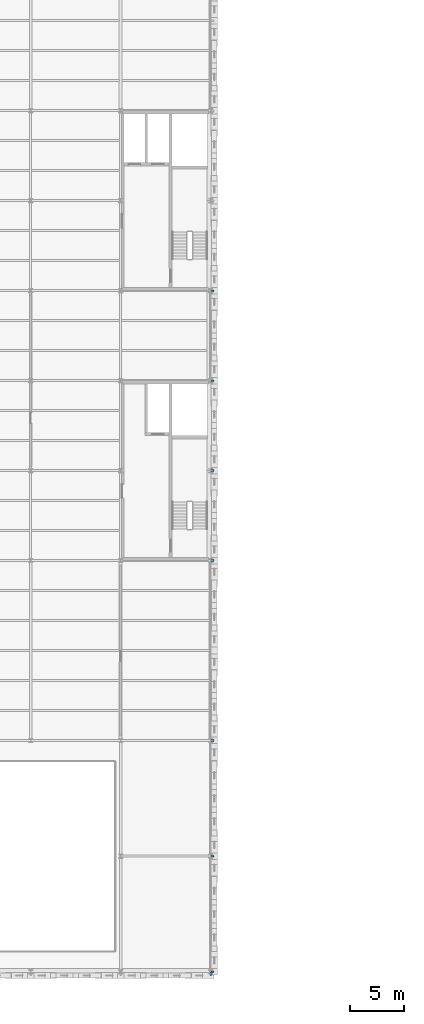
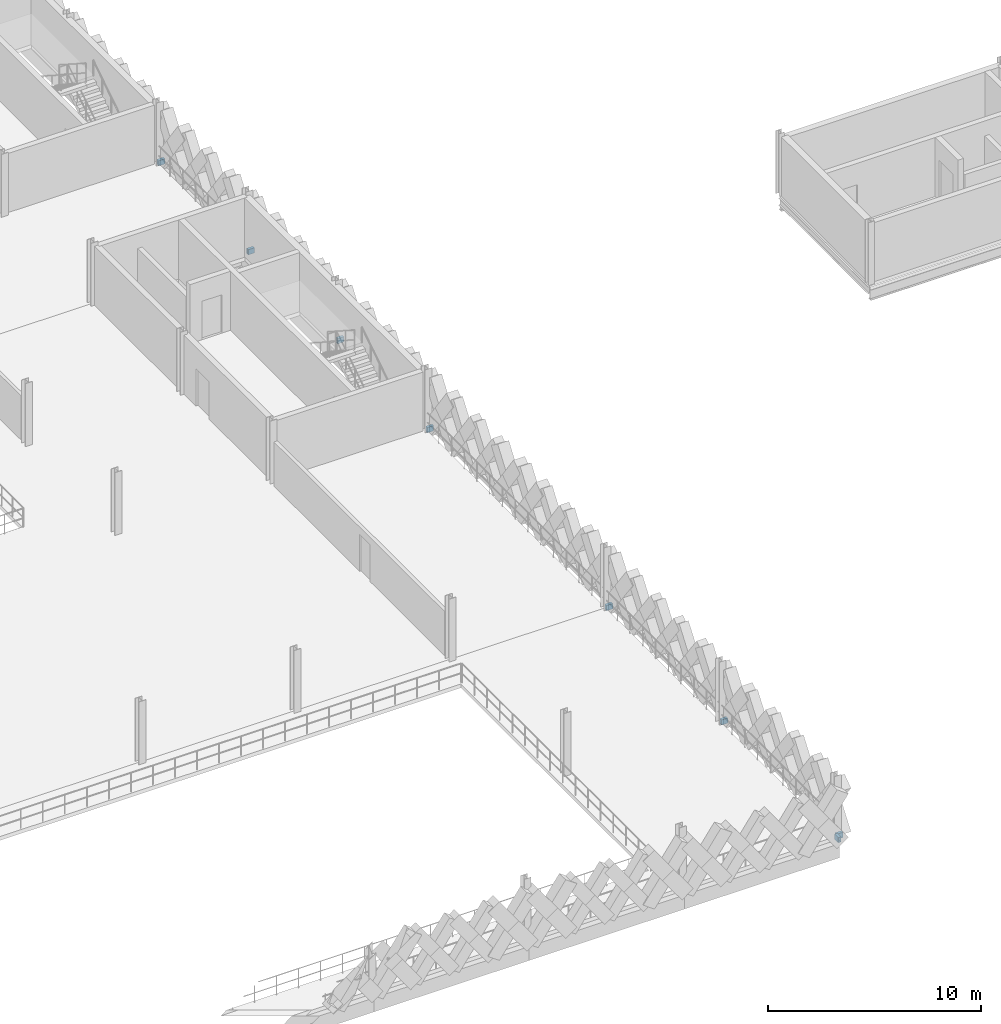
# One storey, part 45 of 74: 8 members.
"""IFC4 building model written with IfcOpenShell, lengths in metres."""

from ifc_helpers import new_model, si_unit, direction, frame, origin, origin_2d, place, context, subcontext, project, spatial, hollow_rectangle, extrude, material, material_profile, profile_set, type_object, element, save


model = new_model("IFC4")

# Units and contexts
model_context = context("Model", 3, precision=1e-05, world=origin(), true_north=direction((0.0, 1.0)))
body_context = subcontext(model_context, "Body", "Model", "MODEL_VIEW")
ifc_project = project(units=[si_unit("LENGTHUNIT", "METRE"), si_unit("AREAUNIT", "SQUARE_METRE"), si_unit("VOLUMEUNIT", "CUBIC_METRE"), si_unit("PLANEANGLEUNIT", "RADIAN"), si_unit("MASSUNIT", "GRAM", prefix="KILO"), si_unit("THERMODYNAMICTEMPERATUREUNIT", "KELVIN"), si_unit("POWERUNIT", "WATT")], contexts=[model_context])

# Site, building, storey
site_placement = place(None, origin())
site = spatial("IfcSite", under=ifc_project, at=site_placement, CompositionType="ELEMENT")
building_placement = place(site_placement, origin())
building = spatial("IfcBuilding", under=site, at=building_placement, Name="Tembeka Court Mobility Hub", CompositionType="ELEMENT")
storey_placement = place(building_placement, frame((0.0, 0.0, 12.60009765625)))
storey = spatial("IfcBuildingStorey", under=building, at=storey_placement, Name="L03", CompositionType="ELEMENT", Elevation=12.60009765625)

# Members
ifc_material = material(Name="Steel S355", Category="steel")
ifc_material_profile = material_profile(ifc_material, hollow_rectangle(XDim=0.14990234375, YDim=0.300048828125, WallThickness=0.010009765625, at=origin_2d()), Name="RHS 300x150x10")
ifc_profile_set = profile_set([ifc_material_profile], Name="Steel S355")
member_type = type_object("IfcMemberType", Name="MEM-ST03", PredefinedType="STRUT", material=ifc_profile_set)
for number, where, z_axis, x_axis, name in (
    (1, (92.39990234375, 0.0, 0.02001953125), (0.0, -1.0, 0.0), (1.0, 0.0, 0.0), "Lattice outrigger tie SR03 (L03-Y-92)"),
    (2, (92.39990234375, 0.0, 0.02001953125), (1.0, 0.0, 0.0), (0.0, 1.0, 0.0), "Lattice outrigger tie SR03 (L03-X-0)"),
    (3, (92.39990234375, 10.800048828125, 0.02001953125), (1.0, 0.0, 0.0), (0.0, 1.0, 0.0), "Lattice outrigger tie SR03 (L03-X-10)"),
    (4, (92.39990234375, 21.60009765625, 0.02001953125), (1.0, 0.0, 0.0), (0.0, 1.0, 0.0), "Lattice outrigger tie SR03 (L03-X-21)"),
    (5, (92.39990234375, 38.39990234375, 0.02001953125), (1.0, 0.0, 0.0), (0.0, 1.0, 0.0), "Lattice outrigger tie SR03 (L03-X-38)"),
    (6, (92.39990234375, 46.800048828125, 0.02001953125), (1.0, 0.0, 0.0), (0.0, 1.0, 0.0), "Lattice outrigger tie SR03 (L03-X-46)"),
    (7, (92.39990234375, 55.199951171875, 0.02001953125), (1.0, 0.0, 0.0), (0.0, 1.0, 0.0), "Lattice outrigger tie SR03 (L03-X-55)"),
    (8, (92.39990234375, 63.60009765625, 0.02001953125), (1.0, 0.0, 0.0), (0.0, 1.0, 0.0), "Lattice outrigger tie SR03 (L03-X-63)"),
):
    element("IfcMember", number, at=place(storey_placement, frame(where, z_axis=z_axis, x_axis=x_axis)), inside=storey, type_object=member_type, Name=name, PredefinedType="STRUT", context=body_context, shape_type="SweptSolid", body=[
        extrude(hollow_rectangle(XDim=0.14990234375, YDim=0.300048828125, WallThickness=0.010009765625, at=origin_2d()), origin(), (0.0, 0.0, 1.0), 0.340087890625),
    ])

save(model, "model.ifc")
